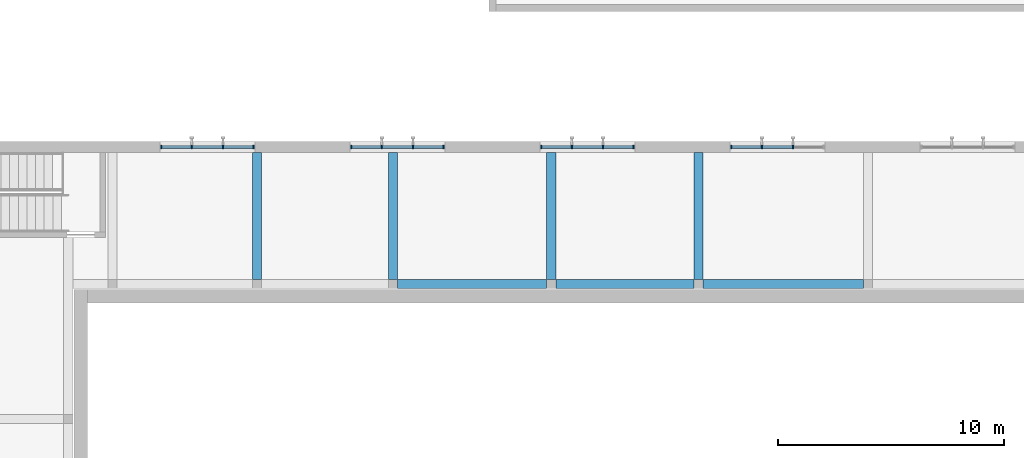
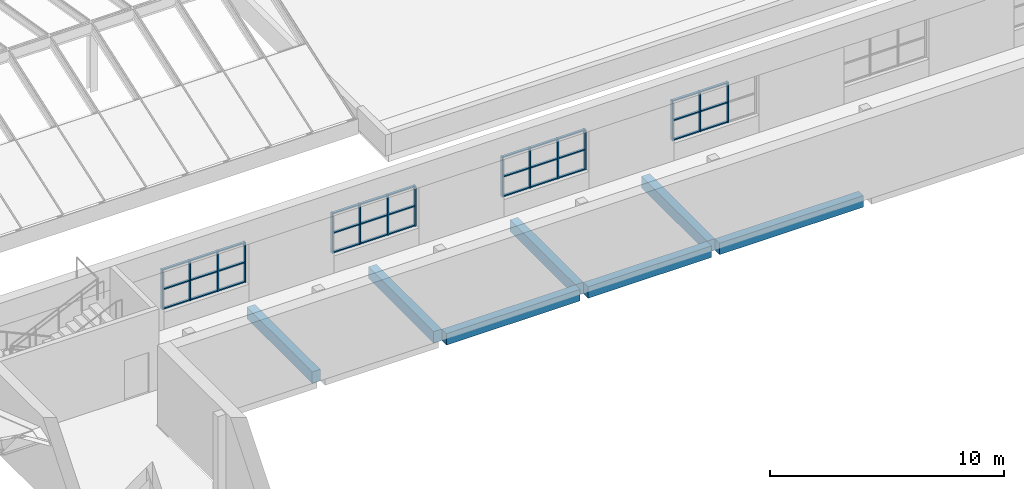
# One storey, part 25 of 60: 48 members, 7 beams, 4 elements without a shape of their own.
"""IFC4 building model written with IfcOpenShell, lengths in metres."""

import ifcopenshell
import ifcopenshell.guid

model = None  # the IFC model being written
_history = None  # IfcOwnerHistory: only IFC2X3 demands one
_inside = {}  # id of a spatial element -> (the spatial element, [elements in it])
_under = {}  # id of a project, library or spatial element -> (it, [spatial elements below it])
_declared = {}  # id of a project -> (the project, [libraries it declares])
_typed = {}  # id of a type object -> (the type object, [elements of that type])
_made_of = {}  # id of a material, layer set ... -> (it, [elements and type objects made of it])


def new_model(schema):
    """Start an empty IFC model of exactly this schema.

    Asked for "IFC4X3", IfcOpenShell would pick the latest addendum, in which some entities
    have other attributes; the version numbers below select the first issue.
    IFC2X3 requires an IfcOwnerHistory on every rooted entity: one is made here for all.
    """
    global model, _history
    if schema == "IFC4X3":
        model = ifcopenshell.file(schema_version=(4, 3, 0, 0))
    else:
        model = ifcopenshell.file(schema=schema)
    _inside.clear()
    _under.clear()
    _declared.clear()
    _typed.clear()
    _made_of.clear()
    _history = None
    if model.schema == "IFC2X3":
        org = make("IfcOrganization", Name="unknown")
        user = make(
            "IfcPersonAndOrganization",
            ThePerson=make("IfcPerson", FamilyName="unknown"),
            TheOrganization=org,
        )
        app = make(
            "IfcApplication",
            ApplicationDeveloper=org,
            Version="unknown",
            ApplicationFullName="unknown",
            ApplicationIdentifier="unknown",
        )
        _history = make(
            "IfcOwnerHistory",
            OwningUser=user,
            OwningApplication=app,
            ChangeAction="ADDED",
            CreationDate=0,
        )
    return model


def make(cls, **values):
    """One entity of the class cls with the attributes given. An attribute that is None is left unset."""
    return model.create_entity(
        cls, **{name: value for name, value in values.items() if value is not None}
    )


def rooted(cls, **values):
    """An entity with a GlobalId (a new one), such as an element, a storey or a relation."""
    return make(cls, GlobalId=ifcopenshell.guid.new(), OwnerHistory=_history, **values)


def si_unit(unit_type, name, prefix=None):
    """IfcSIUnit, for example si_unit("LENGTHUNIT", "METRE", prefix="MILLI")."""
    return make("IfcSIUnit", UnitType=unit_type, Prefix=prefix, Name=name)


def assignment(units):
    """IfcUnitAssignment: the units of a project."""
    return None if units is None else make("IfcUnitAssignment", Units=units)


def point(xyz):
    """IfcCartesianPoint."""
    return None if xyz is None else make("IfcCartesianPoint", Coordinates=xyz)


def direction(xyz):
    """IfcDirection."""
    return None if xyz is None else make("IfcDirection", DirectionRatios=xyz)


def frame(location, z_axis=None, x_axis=None):
    """IfcAxis2Placement3D, a coordinate frame: its origin and axes. An axis left out is left unset."""
    return make(
        "IfcAxis2Placement3D",
        Location=point(location),
        Axis=direction(z_axis),
        RefDirection=direction(x_axis),
    )


def frame_2d(location, x_axis=None):
    """IfcAxis2Placement2D, a coordinate frame in the plane: its origin and x axis."""
    return make(
        "IfcAxis2Placement2D", Location=point(location), RefDirection=direction(x_axis)
    )


def origin():
    """The frame at (0, 0, 0) with its axes left unset."""
    return frame((0.0, 0.0, 0.0))


def origin_2d():
    """The frame at (0, 0) in the plane with its x axis left unset."""
    return frame_2d((0.0, 0.0))


def place(relative_to, where):
    """IfcLocalPlacement: puts the frame where relative to a parent placement (None: the world)."""
    return make(
        "IfcLocalPlacement", PlacementRelTo=relative_to, RelativePlacement=where
    )


def context(
    kind, dimensions, precision=None, world=None, true_north=None, identifier=None
):
    """IfcGeometricRepresentationContext, for example the 3D "Model" context."""
    return make(
        "IfcGeometricRepresentationContext",
        ContextIdentifier=identifier,
        ContextType=kind,
        CoordinateSpaceDimension=dimensions,
        Precision=precision,
        WorldCoordinateSystem=world,
        TrueNorth=true_north,
    )


def subcontext(parent, identifier, kind, view, scale=None):
    """IfcGeometricRepresentationSubContext, for example "Body" below "Model"."""
    return make(
        "IfcGeometricRepresentationSubContext",
        ContextIdentifier=identifier,
        ContextType=kind,
        ParentContext=parent,
        TargetScale=scale,
        TargetView=view,
    )


def project(units=None, contexts=None):
    """IfcProject with its units and contexts."""
    return rooted(
        "IfcProject",
        Name="project",
        RepresentationContexts=contexts,
        UnitsInContext=assignment(units),
    )


def spatial(cls, under=None, at=None, **own):
    """A site, building, storey or space (cls), placed at a placement, below another one or the project."""
    s = rooted(cls, ObjectPlacement=at, **own)
    if under is not None:
        _under.setdefault(under.id(), (under, []))[1].append(s)
    return s


def profile(cls, at=None, kind="AREA", **sizes):
    """A parametric profile (cls). Its sizes go by their IFC names, for example OverallWidth=200.0."""
    return make(cls, ProfileType=kind, Position=at, **sizes)


def rectangle(**sizes):
    """IfcRectangleProfileDef."""
    return profile("IfcRectangleProfileDef", **sizes)


def extrude(swept, where, along, depth):
    """IfcExtrudedAreaSolid: the profile swept, set in the frame where, extruded along a direction by depth."""
    return make(
        "IfcExtrudedAreaSolid",
        SweptArea=swept,
        Position=where,
        ExtrudedDirection=direction(along),
        Depth=depth,
    )


def shape(context_of_items, identifier, shape_type, items):
    """IfcShapeRepresentation: the items that make up one representation, for example the "Body"."""
    return make(
        "IfcShapeRepresentation",
        ContextOfItems=context_of_items,
        RepresentationIdentifier=identifier,
        RepresentationType=shape_type,
        Items=items,
    )


def material(Name=None, Category=None):
    """IfcMaterial."""
    return make("IfcMaterial", Name=Name, Category=Category)


def material_profile(
    of_material, cross_section, Name=None, Category=None, Priority=None
):
    """IfcMaterialProfile: a cross section and its material."""
    return make(
        "IfcMaterialProfile",
        Name=Name,
        Material=of_material,
        Profile=cross_section,
        Priority=Priority,
        Category=Category,
    )


def profile_set(profiles, Name=None, composite=None):
    """IfcMaterialProfileSet."""
    return make(
        "IfcMaterialProfileSet",
        Name=Name,
        MaterialProfiles=profiles,
        CompositeProfile=composite,
    )


def made_of(thing, what):
    """Note that an element or type object is made of a material, layer set ...; save() writes the relation."""
    if what is not None:
        _made_of.setdefault(what.id(), (what, []))[1].append(thing)
    return thing


def type_object(cls, material=None, **own):
    """A type object (cls), such as IfcWallType, which elements share."""
    return made_of(rooted(cls, **own), material)


def element(
    cls,
    number,
    at=None,
    inside=None,
    cuts=None,
    type_object=None,
    material=None,
    context=None,
    identifier="Body",
    shape_type=None,
    held_by="IfcProductDefinitionShape",
    body=None,
    shapes=None,
    **own,
):
    """One element of the class cls, such as IfcWall. Its Tag is "e" and its number.

    at: its placement. inside: the storey or other place that contains it. cuts: it is an
    opening in that element (IfcRelVoidsElement). A single representation is given by context,
    identifier, shape_type and body (its items); several are given by shapes. held_by: the class
    of the entity that holds the representations. save() writes the other relations.
    """
    e = rooted(cls, Tag="e%d" % number, ObjectPlacement=at, **own)
    if body is not None:
        shapes = [shape(context, identifier, shape_type, body)]
    if shapes is not None:
        e.Representation = make(held_by, Representations=shapes)
    if inside is not None:
        _inside.setdefault(inside.id(), (inside, []))[1].append(e)
    if cuts is not None:
        rooted(
            "IfcRelVoidsElement", RelatingBuildingElement=cuts, RelatedOpeningElement=e
        )
    if type_object is not None:
        _typed.setdefault(type_object.id(), (type_object, []))[1].append(e)
    return made_of(e, material)


def aggregate(whole, parts):
    """IfcRelAggregates: a whole, such as a stair, and the parts it consists of."""
    return rooted("IfcRelAggregates", RelatingObject=whole, RelatedObjects=parts)


def save(model, path):
    """Write the relations noted so far, then the file.

    IfcRelAggregates (storeys below a building ...), IfcRelContainedInSpatialStructure (elements
    in a storey), IfcRelDefinesByType, IfcRelAssociatesMaterial and IfcRelDeclares: one each for
    every whole, place, type object, material and project.
    """
    for whole, parts in _under.values():
        aggregate(whole, parts)
    for where, things in _inside.values():
        rooted(
            "IfcRelContainedInSpatialStructure",
            RelatedElements=things,
            RelatingStructure=where,
        )
    for kind, things in _typed.values():
        rooted("IfcRelDefinesByType", RelatedObjects=things, RelatingType=kind)
    for what, things in _made_of.values():
        rooted("IfcRelAssociatesMaterial", RelatedObjects=things, RelatingMaterial=what)
    for by, libraries in _declared.values():
        rooted("IfcRelDeclares", RelatingContext=by, RelatedDefinitions=libraries)
    model.write(path)


model = new_model("IFC4")

# Units and contexts
model_context = context("Model", 3, precision=1e-05, world=origin(), true_north=direction((0.0, 1.0)))
body_context = subcontext(model_context, "Body", "Model", "MODEL_VIEW")
ifc_project = project(units=[si_unit("LENGTHUNIT", "METRE"), si_unit("AREAUNIT", "SQUARE_METRE"), si_unit("VOLUMEUNIT", "CUBIC_METRE"), si_unit("PLANEANGLEUNIT", "RADIAN"), si_unit("MASSUNIT", "GRAM", prefix="KILO")], contexts=[model_context])

# Site, building, storey
site_placement = place(None, origin())
site = spatial("IfcSite", under=ifc_project, at=site_placement, CompositionType="ELEMENT")
building_placement = place(site_placement, origin())
building = spatial("IfcBuilding", under=site, at=building_placement, Name="Ljudholm Concert House", CompositionType="ELEMENT")
storey_placement = place(building_placement, frame((0.0, 0.0, 15.0)))
storey = spatial("IfcBuildingStorey", under=building, at=storey_placement, Name="L03", CompositionType="ELEMENT", Elevation=15.0)

# Curtain wall, members
ifc_material_1 = material(Name="Aluminium curtain wall with impact-rated laminated glass", Category="aluminium")
curtain_wall_type = type_object("IfcCurtainWallType", Name="CURTAIN WALL 1400", PredefinedType="NOTDEFINED", material=ifc_material_1)
curtain_wall_1_placement = place(storey_placement, origin())
curtain_wall_1 = element("IfcCurtainWall", 1, at=curtain_wall_1_placement, inside=storey, type_object=curtain_wall_type, Name="Promenade curtain wall", PredefinedType="NOTDEFINED")
ifc_material_2 = material(Name="Aluminium extrusion", Category="aluminium")
ifc_material_profile_1 = material_profile(ifc_material_2, rectangle(XDim=0.159912109375, YDim=0.06005859375, at=origin_2d()), Name="MULLION 60x160")
ifc_profile_set_1 = profile_set([ifc_material_profile_1], Name="Aluminium extrusion")
member_type_1 = type_object("IfcMemberType", Name="MULLION 60x160", PredefinedType="MULLION", material=ifc_profile_set_1)
member_1_placement = place(storey_placement, frame((39.760009765625, 96.39990234375, 0.89990234375), z_axis=(0.0, 0.0, 1.0), x_axis=(0.0, 1.0, 0.0)))
member_1 = element("IfcMember", 2, at=member_1_placement, type_object=member_type_1, Name="Mullion", PredefinedType="MULLION", context=body_context, shape_type="SweptSolid", body=[
    extrude(rectangle(XDim=0.159912109375, YDim=0.06005859375, at=origin_2d()), origin(), (0.0, 0.0, 1.0), 2.10009765625),
])
member_2_placement = place(storey_placement, frame((41.110107421875, 96.39990234375, 0.89990234375), z_axis=(0.0, 0.0, 1.0), x_axis=(0.0, 1.0, 0.0)))
member_2 = element("IfcMember", 3, at=member_2_placement, type_object=member_type_1, Name="Mullion", PredefinedType="MULLION", context=body_context, shape_type="SweptSolid", body=[
    extrude(rectangle(XDim=0.159912109375, YDim=0.06005859375, at=origin_2d()), origin(), (0.0, 0.0, 1.0), 2.10009765625),
])
member_3_placement = place(storey_placement, frame((42.489990234375, 96.39990234375, 0.89990234375), z_axis=(0.0, 0.0, 1.0), x_axis=(0.0, 1.0, 0.0)))
member_3 = element("IfcMember", 4, at=member_3_placement, type_object=member_type_1, Name="Mullion", PredefinedType="MULLION", context=body_context, shape_type="SweptSolid", body=[
    extrude(rectangle(XDim=0.159912109375, YDim=0.06005859375, at=origin_2d()), origin(), (0.0, 0.0, 1.0), 2.10009765625),
])
member_4_placement = place(storey_placement, frame((43.840087890625, 96.39990234375, 0.89990234375), z_axis=(0.0, 0.0, 1.0), x_axis=(0.0, 1.0, 0.0)))
member_4 = element("IfcMember", 5, at=member_4_placement, type_object=member_type_1, Name="Mullion", PredefinedType="MULLION", context=body_context, shape_type="SweptSolid", body=[
    extrude(rectangle(XDim=0.159912109375, YDim=0.06005859375, at=origin_2d()), origin(), (0.0, 0.0, 1.0), 2.10009765625),
])

curtain_wall_2_placement = place(storey_placement, origin())
curtain_wall_2 = element("IfcCurtainWall", 6, at=curtain_wall_2_placement, inside=storey, type_object=curtain_wall_type, Name="Promenade curtain wall", PredefinedType="NOTDEFINED")
member_5_placement = place(storey_placement, frame((48.159912109375, 96.39990234375, 0.89990234375), z_axis=(0.0, 0.0, 1.0), x_axis=(0.0, 1.0, 0.0)))
member_5 = element("IfcMember", 7, at=member_5_placement, type_object=member_type_1, Name="Mullion", PredefinedType="MULLION", context=body_context, shape_type="SweptSolid", body=[
    extrude(rectangle(XDim=0.159912109375, YDim=0.06005859375, at=origin_2d()), origin(), (0.0, 0.0, 1.0), 2.10009765625),
])
member_6_placement = place(storey_placement, frame((49.510009765625, 96.39990234375, 0.89990234375), z_axis=(0.0, 0.0, 1.0), x_axis=(0.0, 1.0, 0.0)))
member_6 = element("IfcMember", 8, at=member_6_placement, type_object=member_type_1, Name="Mullion", PredefinedType="MULLION", context=body_context, shape_type="SweptSolid", body=[
    extrude(rectangle(XDim=0.159912109375, YDim=0.06005859375, at=origin_2d()), origin(), (0.0, 0.0, 1.0), 2.10009765625),
])
member_7_placement = place(storey_placement, frame((50.889892578125, 96.39990234375, 0.89990234375), z_axis=(0.0, 0.0, 1.0), x_axis=(0.0, 1.0, 0.0)))
member_7 = element("IfcMember", 9, at=member_7_placement, type_object=member_type_1, Name="Mullion", PredefinedType="MULLION", context=body_context, shape_type="SweptSolid", body=[
    extrude(rectangle(XDim=0.159912109375, YDim=0.06005859375, at=origin_2d()), origin(), (0.0, 0.0, 1.0), 2.10009765625),
])
member_8_placement = place(storey_placement, frame((52.239990234375, 96.39990234375, 0.89990234375), z_axis=(0.0, 0.0, 1.0), x_axis=(0.0, 1.0, 0.0)))
member_8 = element("IfcMember", 10, at=member_8_placement, type_object=member_type_1, Name="Mullion", PredefinedType="MULLION", context=body_context, shape_type="SweptSolid", body=[
    extrude(rectangle(XDim=0.159912109375, YDim=0.06005859375, at=origin_2d()), origin(), (0.0, 0.0, 1.0), 2.10009765625),
])

curtain_wall_3_placement = place(storey_placement, origin())
curtain_wall_3 = element("IfcCurtainWall", 11, at=curtain_wall_3_placement, inside=storey, type_object=curtain_wall_type, Name="Promenade curtain wall", PredefinedType="NOTDEFINED")
member_9_placement = place(storey_placement, frame((56.56005859375, 96.39990234375, 0.89990234375), z_axis=(0.0, 0.0, 1.0), x_axis=(0.0, 1.0, 0.0)))
member_9 = element("IfcMember", 12, at=member_9_placement, type_object=member_type_1, Name="Mullion", PredefinedType="MULLION", context=body_context, shape_type="SweptSolid", body=[
    extrude(rectangle(XDim=0.159912109375, YDim=0.06005859375, at=origin_2d()), origin(), (0.0, 0.0, 1.0), 2.10009765625),
])
member_10_placement = place(storey_placement, frame((57.909912109375, 96.39990234375, 0.89990234375), z_axis=(0.0, 0.0, 1.0), x_axis=(0.0, 1.0, 0.0)))
member_10 = element("IfcMember", 13, at=member_10_placement, type_object=member_type_1, Name="Mullion", PredefinedType="MULLION", context=body_context, shape_type="SweptSolid", body=[
    extrude(rectangle(XDim=0.159912109375, YDim=0.06005859375, at=origin_2d()), origin(), (0.0, 0.0, 1.0), 2.10009765625),
])
member_11_placement = place(storey_placement, frame((59.2900390625, 96.39990234375, 0.89990234375), z_axis=(0.0, 0.0, 1.0), x_axis=(0.0, 1.0, 0.0)))
member_11 = element("IfcMember", 14, at=member_11_placement, type_object=member_type_1, Name="Mullion", PredefinedType="MULLION", context=body_context, shape_type="SweptSolid", body=[
    extrude(rectangle(XDim=0.159912109375, YDim=0.06005859375, at=origin_2d()), origin(), (0.0, 0.0, 1.0), 2.10009765625),
])
member_12_placement = place(storey_placement, frame((60.639892578125, 96.39990234375, 0.89990234375), z_axis=(0.0, 0.0, 1.0), x_axis=(0.0, 1.0, 0.0)))
member_12 = element("IfcMember", 15, at=member_12_placement, type_object=member_type_1, Name="Mullion", PredefinedType="MULLION", context=body_context, shape_type="SweptSolid", body=[
    extrude(rectangle(XDim=0.159912109375, YDim=0.06005859375, at=origin_2d()), origin(), (0.0, 0.0, 1.0), 2.10009765625),
])

curtain_wall_4_placement = place(storey_placement, origin())
curtain_wall_4 = element("IfcCurtainWall", 16, at=curtain_wall_4_placement, inside=storey, type_object=curtain_wall_type, Name="Promenade curtain wall", PredefinedType="NOTDEFINED")
member_13_placement = place(storey_placement, frame((64.9599609375, 96.39990234375, 0.89990234375), z_axis=(0.0, 0.0, 1.0), x_axis=(0.0, 1.0, 0.0)))
member_13 = element("IfcMember", 17, at=member_13_placement, type_object=member_type_1, Name="Mullion", PredefinedType="MULLION", context=body_context, shape_type="SweptSolid", body=[
    extrude(rectangle(XDim=0.159912109375, YDim=0.06005859375, at=origin_2d()), origin(), (0.0, 0.0, 1.0), 2.10009765625),
])
member_14_placement = place(storey_placement, frame((66.31005859375, 96.39990234375, 0.89990234375), z_axis=(0.0, 0.0, 1.0), x_axis=(0.0, 1.0, 0.0)))
member_14 = element("IfcMember", 18, at=member_14_placement, type_object=member_type_1, Name="Mullion", PredefinedType="MULLION", context=body_context, shape_type="SweptSolid", body=[
    extrude(rectangle(XDim=0.159912109375, YDim=0.06005859375, at=origin_2d()), origin(), (0.0, 0.0, 1.0), 2.10009765625),
])
member_15_placement = place(storey_placement, frame((67.68994140625, 96.39990234375, 0.89990234375), z_axis=(0.0, 0.0, 1.0), x_axis=(0.0, 1.0, 0.0)))
member_15 = element("IfcMember", 19, at=member_15_placement, type_object=member_type_1, Name="Mullion", PredefinedType="MULLION", context=body_context, shape_type="SweptSolid", body=[
    extrude(rectangle(XDim=0.159912109375, YDim=0.06005859375, at=origin_2d()), origin(), (0.0, 0.0, 1.0), 2.10009765625),
])

# Beams
ifc_material_3 = material(Name="Concrete 6,500 psi", Category="concrete")
ifc_material_profile_2 = material_profile(ifc_material_3, rectangle(XDim=0.39990234375, YDim=0.60009765625, at=origin_2d()), Name="RC BEAM 400x600")
ifc_profile_set_2 = profile_set([ifc_material_profile_2], Name="Concrete 6,500 psi")
beam_type = type_object("IfcBeamType", Name="RC BEAM 400x600", PredefinedType="BEAM", material=ifc_profile_set_2)
beam_1_placement = place(storey_placement, frame((50.199951171875, 90.35009765625, -0.550048828125), z_axis=(1.0, 0.0, 0.0), x_axis=(0.0, 1.0, 0.0)))
element("IfcBeam", 20, at=beam_1_placement, inside=storey, type_object=beam_type, Name="Ring beam", PredefinedType="BEAM", context=body_context, shape_type="SweptSolid", body=[
    extrude(rectangle(XDim=0.39990234375, YDim=0.60009765625, at=origin_2d()), origin(), (0.0, 0.0, 1.0), 6.60009765625),
])
beam_2_placement = place(storey_placement, frame((57.199951171875, 90.35009765625, -0.550048828125), z_axis=(1.0, 0.0, 0.0), x_axis=(0.0, 1.0, 0.0)))
element("IfcBeam", 21, at=beam_2_placement, inside=storey, type_object=beam_type, Name="Ring beam", PredefinedType="BEAM", context=body_context, shape_type="SweptSolid", body=[
    extrude(rectangle(XDim=0.39990234375, YDim=0.60009765625, at=origin_2d()), origin(), (0.0, 0.0, 1.0), 6.10009765625),
])
beam_3_placement = place(storey_placement, frame((63.699951171875, 90.35009765625, -0.550048828125), z_axis=(1.0, 0.0, 0.0), x_axis=(0.0, 1.0, 0.0)))
element("IfcBeam", 22, at=beam_3_placement, inside=storey, type_object=beam_type, Name="Ring beam", PredefinedType="BEAM", context=body_context, shape_type="SweptSolid", body=[
    extrude(rectangle(XDim=0.39990234375, YDim=0.60009765625, at=origin_2d()), origin(), (0.0, 0.0, 1.0), 7.10009765625),
])
for number, where, z_axis, x_axis, name in (
    (23, (44.0, 90.550048828125, -0.550048828125), (0.0, 1.0, 0.0), (-1.0, 0.0, 0.0), "Ring cross beam"),
    (24, (50.0, 90.550048828125, -0.550048828125), (0.0, 1.0, 0.0), (-1.0, 0.0, 0.0), "Ring cross beam"),
    (25, (57.0, 90.550048828125, -0.550048828125), (0.0, 1.0, 0.0), (-1.0, 0.0, 0.0), "Ring cross beam"),
    (26, (63.5, 90.550048828125, -0.550048828125), (0.0, 1.0, 0.0), (-1.0, 0.0, 0.0), "Ring cross beam"),
):
    element("IfcBeam", number, at=place(storey_placement, frame(where, z_axis=z_axis, x_axis=x_axis)), inside=storey, type_object=beam_type, Name=name, PredefinedType="BEAM", context=body_context, shape_type="SweptSolid", body=[
        extrude(rectangle(XDim=0.39990234375, YDim=0.60009765625, at=origin_2d()), origin(), (0.0, 0.0, 1.0), 5.599853515625),
    ])

# Member
ifc_material_4 = material(Name="Aluminium extrusion", Category="aluminium")
ifc_material_profile_3 = material_profile(ifc_material_4, rectangle(XDim=0.1201171875, YDim=0.06005859375, at=origin_2d()), Name="TRANSOM 60x120")
ifc_profile_set_3 = profile_set([ifc_material_profile_3], Name="Aluminium extrusion")
member_type_2 = type_object("IfcMemberType", Name="TRANSOM 60x120", PredefinedType="USERDEFINED", material=ifc_profile_set_3)
member_16_placement = place(storey_placement, frame((39.7900390625, 96.39990234375, 0.929931640625), z_axis=(1.0, 0.0, 0.0), x_axis=(0.0, 1.0, 0.0)))
member_16 = element("IfcMember", 27, at=member_16_placement, type_object=member_type_2, Name="Transom", ObjectType="TRANSOM", PredefinedType="USERDEFINED", context=body_context, shape_type="SweptSolid", body=[
    extrude(rectangle(XDim=0.1201171875, YDim=0.06005859375, at=origin_2d()), origin(), (0.0, 0.0, 1.0), 1.2900390625),
])

member_17_placement = place(storey_placement, frame((39.7900390625, 96.39990234375, 1.949951171875), z_axis=(1.0, 0.0, 0.0), x_axis=(0.0, 1.0, 0.0)))
member_17 = element("IfcMember", 28, at=member_17_placement, type_object=member_type_2, Name="Transom", ObjectType="TRANSOM", PredefinedType="USERDEFINED", context=body_context, shape_type="SweptSolid", body=[
    extrude(rectangle(XDim=0.1201171875, YDim=0.06005859375, at=origin_2d()), origin(), (0.0, 0.0, 1.0), 1.2900390625),
])

member_18_placement = place(storey_placement, frame((39.7900390625, 96.39990234375, 2.969970703125), z_axis=(1.0, 0.0, 0.0), x_axis=(0.0, 1.0, 0.0)))
member_18 = element("IfcMember", 29, at=member_18_placement, type_object=member_type_2, Name="Transom", ObjectType="TRANSOM", PredefinedType="USERDEFINED", context=body_context, shape_type="SweptSolid", body=[
    extrude(rectangle(XDim=0.1201171875, YDim=0.06005859375, at=origin_2d()), origin(), (0.0, 0.0, 1.0), 1.2900390625),
])

member_19_placement = place(storey_placement, frame((41.139892578125, 96.39990234375, 0.929931640625), z_axis=(1.0, 0.0, 0.0), x_axis=(0.0, 1.0, 0.0)))
member_19 = element("IfcMember", 30, at=member_19_placement, type_object=member_type_2, Name="Transom", ObjectType="TRANSOM", PredefinedType="USERDEFINED", context=body_context, shape_type="SweptSolid", body=[
    extrude(rectangle(XDim=0.1201171875, YDim=0.06005859375, at=origin_2d()), origin(), (0.0, 0.0, 1.0), 1.320068359375),
])

member_20_placement = place(storey_placement, frame((41.139892578125, 96.39990234375, 1.949951171875), z_axis=(1.0, 0.0, 0.0), x_axis=(0.0, 1.0, 0.0)))
member_20 = element("IfcMember", 31, at=member_20_placement, type_object=member_type_2, Name="Transom", ObjectType="TRANSOM", PredefinedType="USERDEFINED", context=body_context, shape_type="SweptSolid", body=[
    extrude(rectangle(XDim=0.1201171875, YDim=0.06005859375, at=origin_2d()), origin(), (0.0, 0.0, 1.0), 1.320068359375),
])

member_21_placement = place(storey_placement, frame((41.139892578125, 96.39990234375, 2.969970703125), z_axis=(1.0, 0.0, 0.0), x_axis=(0.0, 1.0, 0.0)))
member_21 = element("IfcMember", 32, at=member_21_placement, type_object=member_type_2, Name="Transom", ObjectType="TRANSOM", PredefinedType="USERDEFINED", context=body_context, shape_type="SweptSolid", body=[
    extrude(rectangle(XDim=0.1201171875, YDim=0.06005859375, at=origin_2d()), origin(), (0.0, 0.0, 1.0), 1.320068359375),
])

member_22_placement = place(storey_placement, frame((42.52001953125, 96.39990234375, 0.929931640625), z_axis=(1.0, 0.0, 0.0), x_axis=(0.0, 1.0, 0.0)))
member_22 = element("IfcMember", 33, at=member_22_placement, type_object=member_type_2, Name="Transom", ObjectType="TRANSOM", PredefinedType="USERDEFINED", context=body_context, shape_type="SweptSolid", body=[
    extrude(rectangle(XDim=0.1201171875, YDim=0.06005859375, at=origin_2d()), origin(), (0.0, 0.0, 1.0), 1.2900390625),
])

member_23_placement = place(storey_placement, frame((42.52001953125, 96.39990234375, 1.949951171875), z_axis=(1.0, 0.0, 0.0), x_axis=(0.0, 1.0, 0.0)))
member_23 = element("IfcMember", 34, at=member_23_placement, type_object=member_type_2, Name="Transom", ObjectType="TRANSOM", PredefinedType="USERDEFINED", context=body_context, shape_type="SweptSolid", body=[
    extrude(rectangle(XDim=0.1201171875, YDim=0.06005859375, at=origin_2d()), origin(), (0.0, 0.0, 1.0), 1.2900390625),
])

member_24_placement = place(storey_placement, frame((42.52001953125, 96.39990234375, 2.969970703125), z_axis=(1.0, 0.0, 0.0), x_axis=(0.0, 1.0, 0.0)))
member_24 = element("IfcMember", 35, at=member_24_placement, type_object=member_type_2, Name="Transom", ObjectType="TRANSOM", PredefinedType="USERDEFINED", context=body_context, shape_type="SweptSolid", body=[
    extrude(rectangle(XDim=0.1201171875, YDim=0.06005859375, at=origin_2d()), origin(), (0.0, 0.0, 1.0), 1.2900390625),
])

aggregate(curtain_wall_1, [member_1, member_2, member_3, member_4, member_16, member_17, member_18, member_19, member_20, member_21, member_22, member_23, member_24])

member_25_placement = place(storey_placement, frame((48.18994140625, 96.39990234375, 0.929931640625), z_axis=(1.0, 0.0, 0.0), x_axis=(0.0, 1.0, 0.0)))
member_25 = element("IfcMember", 36, at=member_25_placement, type_object=member_type_2, Name="Transom", ObjectType="TRANSOM", PredefinedType="USERDEFINED", context=body_context, shape_type="SweptSolid", body=[
    extrude(rectangle(XDim=0.1201171875, YDim=0.06005859375, at=origin_2d()), origin(), (0.0, 0.0, 1.0), 1.2900390625),
])

member_26_placement = place(storey_placement, frame((48.18994140625, 96.39990234375, 1.949951171875), z_axis=(1.0, 0.0, 0.0), x_axis=(0.0, 1.0, 0.0)))
member_26 = element("IfcMember", 37, at=member_26_placement, type_object=member_type_2, Name="Transom", ObjectType="TRANSOM", PredefinedType="USERDEFINED", context=body_context, shape_type="SweptSolid", body=[
    extrude(rectangle(XDim=0.1201171875, YDim=0.06005859375, at=origin_2d()), origin(), (0.0, 0.0, 1.0), 1.2900390625),
])

member_27_placement = place(storey_placement, frame((48.18994140625, 96.39990234375, 2.969970703125), z_axis=(1.0, 0.0, 0.0), x_axis=(0.0, 1.0, 0.0)))
member_27 = element("IfcMember", 38, at=member_27_placement, type_object=member_type_2, Name="Transom", ObjectType="TRANSOM", PredefinedType="USERDEFINED", context=body_context, shape_type="SweptSolid", body=[
    extrude(rectangle(XDim=0.1201171875, YDim=0.06005859375, at=origin_2d()), origin(), (0.0, 0.0, 1.0), 1.2900390625),
])

member_28_placement = place(storey_placement, frame((49.5400390625, 96.39990234375, 0.929931640625), z_axis=(1.0, 0.0, 0.0), x_axis=(0.0, 1.0, 0.0)))
member_28 = element("IfcMember", 39, at=member_28_placement, type_object=member_type_2, Name="Transom", ObjectType="TRANSOM", PredefinedType="USERDEFINED", context=body_context, shape_type="SweptSolid", body=[
    extrude(rectangle(XDim=0.1201171875, YDim=0.06005859375, at=origin_2d()), origin(), (0.0, 0.0, 1.0), 1.320068359375),
])

member_29_placement = place(storey_placement, frame((49.5400390625, 96.39990234375, 1.949951171875), z_axis=(1.0, 0.0, 0.0), x_axis=(0.0, 1.0, 0.0)))
member_29 = element("IfcMember", 40, at=member_29_placement, type_object=member_type_2, Name="Transom", ObjectType="TRANSOM", PredefinedType="USERDEFINED", context=body_context, shape_type="SweptSolid", body=[
    extrude(rectangle(XDim=0.1201171875, YDim=0.06005859375, at=origin_2d()), origin(), (0.0, 0.0, 1.0), 1.320068359375),
])

member_30_placement = place(storey_placement, frame((49.5400390625, 96.39990234375, 2.969970703125), z_axis=(1.0, 0.0, 0.0), x_axis=(0.0, 1.0, 0.0)))
member_30 = element("IfcMember", 41, at=member_30_placement, type_object=member_type_2, Name="Transom", ObjectType="TRANSOM", PredefinedType="USERDEFINED", context=body_context, shape_type="SweptSolid", body=[
    extrude(rectangle(XDim=0.1201171875, YDim=0.06005859375, at=origin_2d()), origin(), (0.0, 0.0, 1.0), 1.320068359375),
])

member_31_placement = place(storey_placement, frame((50.919921875, 96.39990234375, 0.929931640625), z_axis=(1.0, 0.0, 0.0), x_axis=(0.0, 1.0, 0.0)))
member_31 = element("IfcMember", 42, at=member_31_placement, type_object=member_type_2, Name="Transom", ObjectType="TRANSOM", PredefinedType="USERDEFINED", context=body_context, shape_type="SweptSolid", body=[
    extrude(rectangle(XDim=0.1201171875, YDim=0.06005859375, at=origin_2d()), origin(), (0.0, 0.0, 1.0), 1.2900390625),
])

member_32_placement = place(storey_placement, frame((50.919921875, 96.39990234375, 1.949951171875), z_axis=(1.0, 0.0, 0.0), x_axis=(0.0, 1.0, 0.0)))
member_32 = element("IfcMember", 43, at=member_32_placement, type_object=member_type_2, Name="Transom", ObjectType="TRANSOM", PredefinedType="USERDEFINED", context=body_context, shape_type="SweptSolid", body=[
    extrude(rectangle(XDim=0.1201171875, YDim=0.06005859375, at=origin_2d()), origin(), (0.0, 0.0, 1.0), 1.2900390625),
])

member_33_placement = place(storey_placement, frame((50.919921875, 96.39990234375, 2.969970703125), z_axis=(1.0, 0.0, 0.0), x_axis=(0.0, 1.0, 0.0)))
member_33 = element("IfcMember", 44, at=member_33_placement, type_object=member_type_2, Name="Transom", ObjectType="TRANSOM", PredefinedType="USERDEFINED", context=body_context, shape_type="SweptSolid", body=[
    extrude(rectangle(XDim=0.1201171875, YDim=0.06005859375, at=origin_2d()), origin(), (0.0, 0.0, 1.0), 1.2900390625),
])

aggregate(curtain_wall_2, [member_5, member_6, member_7, member_8, member_25, member_26, member_27, member_28, member_29, member_30, member_31, member_32, member_33])

member_34_placement = place(storey_placement, frame((56.590087890625, 96.39990234375, 0.929931640625), z_axis=(1.0, 0.0, 0.0), x_axis=(0.0, 1.0, 0.0)))
member_34 = element("IfcMember", 45, at=member_34_placement, type_object=member_type_2, Name="Transom", ObjectType="TRANSOM", PredefinedType="USERDEFINED", context=body_context, shape_type="SweptSolid", body=[
    extrude(rectangle(XDim=0.1201171875, YDim=0.06005859375, at=origin_2d()), origin(), (0.0, 0.0, 1.0), 1.289794921875),
])

member_35_placement = place(storey_placement, frame((56.590087890625, 96.39990234375, 1.949951171875), z_axis=(1.0, 0.0, 0.0), x_axis=(0.0, 1.0, 0.0)))
member_35 = element("IfcMember", 46, at=member_35_placement, type_object=member_type_2, Name="Transom", ObjectType="TRANSOM", PredefinedType="USERDEFINED", context=body_context, shape_type="SweptSolid", body=[
    extrude(rectangle(XDim=0.1201171875, YDim=0.06005859375, at=origin_2d()), origin(), (0.0, 0.0, 1.0), 1.289794921875),
])

member_36_placement = place(storey_placement, frame((56.590087890625, 96.39990234375, 2.969970703125), z_axis=(1.0, 0.0, 0.0), x_axis=(0.0, 1.0, 0.0)))
member_36 = element("IfcMember", 47, at=member_36_placement, type_object=member_type_2, Name="Transom", ObjectType="TRANSOM", PredefinedType="USERDEFINED", context=body_context, shape_type="SweptSolid", body=[
    extrude(rectangle(XDim=0.1201171875, YDim=0.06005859375, at=origin_2d()), origin(), (0.0, 0.0, 1.0), 1.289794921875),
])

member_37_placement = place(storey_placement, frame((57.93994140625, 96.39990234375, 0.929931640625), z_axis=(1.0, 0.0, 0.0), x_axis=(0.0, 1.0, 0.0)))
member_37 = element("IfcMember", 48, at=member_37_placement, type_object=member_type_2, Name="Transom", ObjectType="TRANSOM", PredefinedType="USERDEFINED", context=body_context, shape_type="SweptSolid", body=[
    extrude(rectangle(XDim=0.1201171875, YDim=0.06005859375, at=origin_2d()), origin(), (0.0, 0.0, 1.0), 1.320068359375),
])

member_38_placement = place(storey_placement, frame((57.93994140625, 96.39990234375, 1.949951171875), z_axis=(1.0, 0.0, 0.0), x_axis=(0.0, 1.0, 0.0)))
member_38 = element("IfcMember", 49, at=member_38_placement, type_object=member_type_2, Name="Transom", ObjectType="TRANSOM", PredefinedType="USERDEFINED", context=body_context, shape_type="SweptSolid", body=[
    extrude(rectangle(XDim=0.1201171875, YDim=0.06005859375, at=origin_2d()), origin(), (0.0, 0.0, 1.0), 1.320068359375),
])

member_39_placement = place(storey_placement, frame((57.93994140625, 96.39990234375, 2.969970703125), z_axis=(1.0, 0.0, 0.0), x_axis=(0.0, 1.0, 0.0)))
member_39 = element("IfcMember", 50, at=member_39_placement, type_object=member_type_2, Name="Transom", ObjectType="TRANSOM", PredefinedType="USERDEFINED", context=body_context, shape_type="SweptSolid", body=[
    extrude(rectangle(XDim=0.1201171875, YDim=0.06005859375, at=origin_2d()), origin(), (0.0, 0.0, 1.0), 1.320068359375),
])

member_40_placement = place(storey_placement, frame((59.320068359375, 96.39990234375, 0.929931640625), z_axis=(1.0, 0.0, 0.0), x_axis=(0.0, 1.0, 0.0)))
member_40 = element("IfcMember", 51, at=member_40_placement, type_object=member_type_2, Name="Transom", ObjectType="TRANSOM", PredefinedType="USERDEFINED", context=body_context, shape_type="SweptSolid", body=[
    extrude(rectangle(XDim=0.1201171875, YDim=0.06005859375, at=origin_2d()), origin(), (0.0, 0.0, 1.0), 1.2900390625),
])

member_41_placement = place(storey_placement, frame((59.320068359375, 96.39990234375, 1.949951171875), z_axis=(1.0, 0.0, 0.0), x_axis=(0.0, 1.0, 0.0)))
member_41 = element("IfcMember", 52, at=member_41_placement, type_object=member_type_2, Name="Transom", ObjectType="TRANSOM", PredefinedType="USERDEFINED", context=body_context, shape_type="SweptSolid", body=[
    extrude(rectangle(XDim=0.1201171875, YDim=0.06005859375, at=origin_2d()), origin(), (0.0, 0.0, 1.0), 1.2900390625),
])

member_42_placement = place(storey_placement, frame((59.320068359375, 96.39990234375, 2.969970703125), z_axis=(1.0, 0.0, 0.0), x_axis=(0.0, 1.0, 0.0)))
member_42 = element("IfcMember", 53, at=member_42_placement, type_object=member_type_2, Name="Transom", ObjectType="TRANSOM", PredefinedType="USERDEFINED", context=body_context, shape_type="SweptSolid", body=[
    extrude(rectangle(XDim=0.1201171875, YDim=0.06005859375, at=origin_2d()), origin(), (0.0, 0.0, 1.0), 1.2900390625),
])

aggregate(curtain_wall_3, [member_9, member_10, member_11, member_12, member_34, member_35, member_36, member_37, member_38, member_39, member_40, member_41, member_42])

member_43_placement = place(storey_placement, frame((64.989990234375, 96.39990234375, 0.929931640625), z_axis=(1.0, 0.0, 0.0), x_axis=(0.0, 1.0, 0.0)))
member_43 = element("IfcMember", 54, at=member_43_placement, type_object=member_type_2, Name="Transom", ObjectType="TRANSOM", PredefinedType="USERDEFINED", context=body_context, shape_type="SweptSolid", body=[
    extrude(rectangle(XDim=0.1201171875, YDim=0.06005859375, at=origin_2d()), origin(), (0.0, 0.0, 1.0), 1.2900390625),
])

member_44_placement = place(storey_placement, frame((64.989990234375, 96.39990234375, 1.949951171875), z_axis=(1.0, 0.0, 0.0), x_axis=(0.0, 1.0, 0.0)))
member_44 = element("IfcMember", 55, at=member_44_placement, type_object=member_type_2, Name="Transom", ObjectType="TRANSOM", PredefinedType="USERDEFINED", context=body_context, shape_type="SweptSolid", body=[
    extrude(rectangle(XDim=0.1201171875, YDim=0.06005859375, at=origin_2d()), origin(), (0.0, 0.0, 1.0), 1.2900390625),
])

member_45_placement = place(storey_placement, frame((64.989990234375, 96.39990234375, 2.969970703125), z_axis=(1.0, 0.0, 0.0), x_axis=(0.0, 1.0, 0.0)))
member_45 = element("IfcMember", 56, at=member_45_placement, type_object=member_type_2, Name="Transom", ObjectType="TRANSOM", PredefinedType="USERDEFINED", context=body_context, shape_type="SweptSolid", body=[
    extrude(rectangle(XDim=0.1201171875, YDim=0.06005859375, at=origin_2d()), origin(), (0.0, 0.0, 1.0), 1.2900390625),
])

member_46_placement = place(storey_placement, frame((66.340087890625, 96.39990234375, 0.929931640625), z_axis=(1.0, 0.0, 0.0), x_axis=(0.0, 1.0, 0.0)))
member_46 = element("IfcMember", 57, at=member_46_placement, type_object=member_type_2, Name="Transom", ObjectType="TRANSOM", PredefinedType="USERDEFINED", context=body_context, shape_type="SweptSolid", body=[
    extrude(rectangle(XDim=0.1201171875, YDim=0.06005859375, at=origin_2d()), origin(), (0.0, 0.0, 1.0), 1.31982421875),
])

member_47_placement = place(storey_placement, frame((66.340087890625, 96.39990234375, 1.949951171875), z_axis=(1.0, 0.0, 0.0), x_axis=(0.0, 1.0, 0.0)))
member_47 = element("IfcMember", 58, at=member_47_placement, type_object=member_type_2, Name="Transom", ObjectType="TRANSOM", PredefinedType="USERDEFINED", context=body_context, shape_type="SweptSolid", body=[
    extrude(rectangle(XDim=0.1201171875, YDim=0.06005859375, at=origin_2d()), origin(), (0.0, 0.0, 1.0), 1.31982421875),
])

member_48_placement = place(storey_placement, frame((66.340087890625, 96.39990234375, 2.969970703125), z_axis=(1.0, 0.0, 0.0), x_axis=(0.0, 1.0, 0.0)))
member_48 = element("IfcMember", 59, at=member_48_placement, type_object=member_type_2, Name="Transom", ObjectType="TRANSOM", PredefinedType="USERDEFINED", context=body_context, shape_type="SweptSolid", body=[
    extrude(rectangle(XDim=0.1201171875, YDim=0.06005859375, at=origin_2d()), origin(), (0.0, 0.0, 1.0), 1.31982421875),
])

aggregate(curtain_wall_4, [member_13, member_14, member_15, member_43, member_44, member_45, member_46, member_47, member_48])

save(model, "model.ifc")
